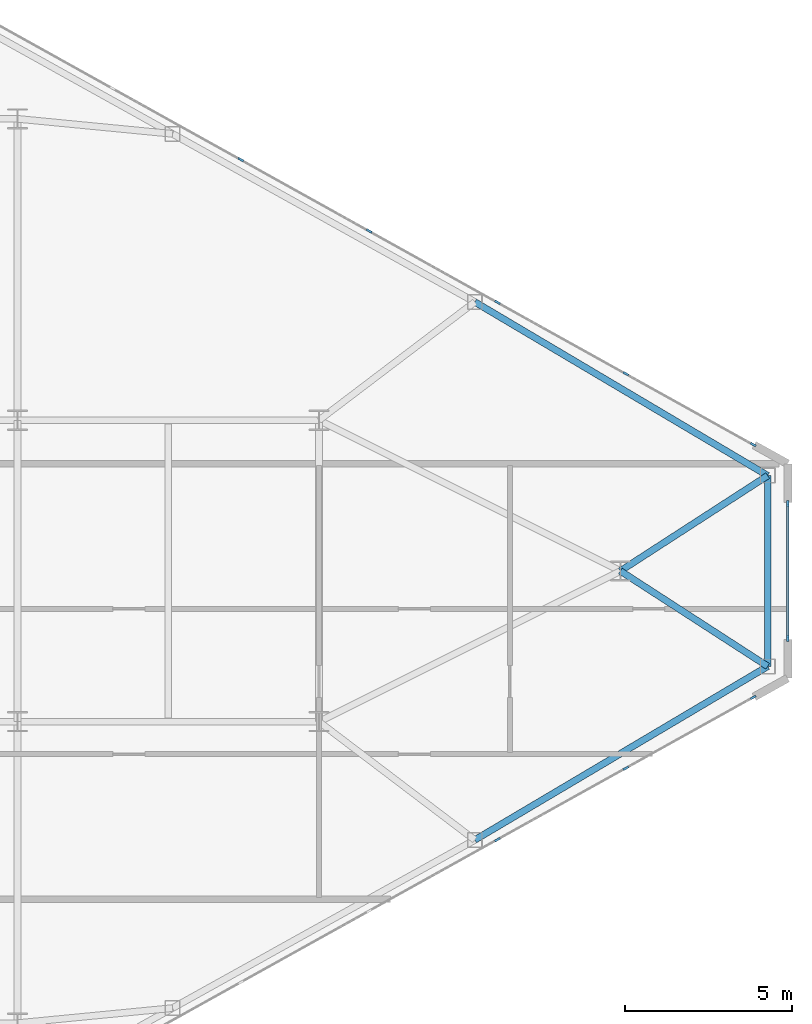
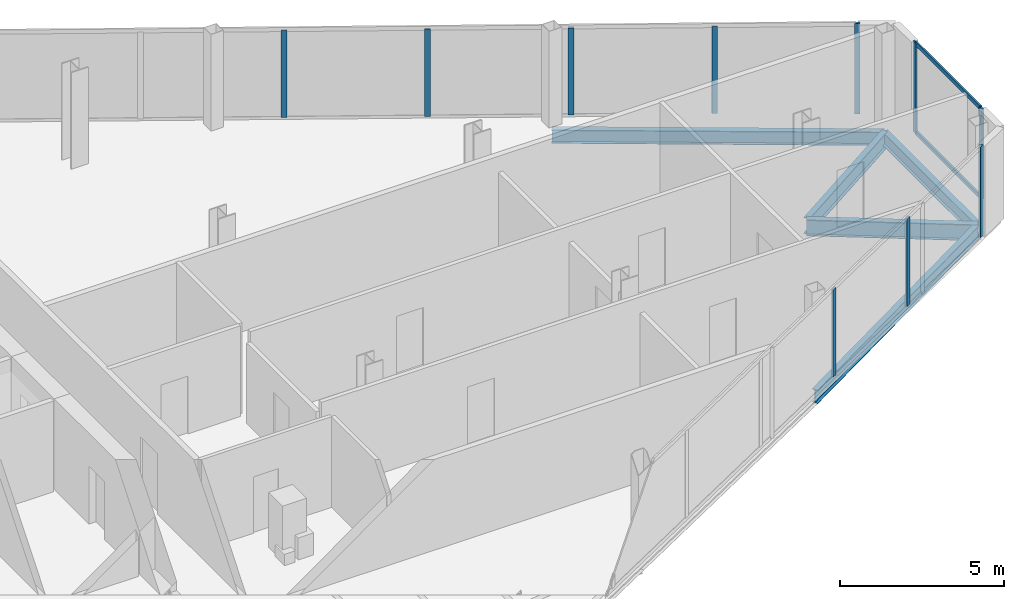
# One storey, part 17 of 25: 12 members, 5 beams, 3 elements without a shape of their own.
"""IFC4 building model written with IfcOpenShell, lengths in metres."""

from ifc_helpers import new_model, si_unit, direction, frame, origin, origin_2d, place, context, subcontext, project, spatial, rectangle, i_section, extrude, source, transform, mapped, material, layer, layer_set, material_profile, profile_set, type_object, type_shapes, element, aggregate, save


model = new_model("IFC4")

# Units and contexts
model_context = context("Model", 3, precision=1e-05, world=origin(), true_north=direction((0.0, 1.0)))
body_context = subcontext(model_context, "Body", "Model", "MODEL_VIEW")
ifc_project = project(units=[si_unit("LENGTHUNIT", "METRE"), si_unit("AREAUNIT", "SQUARE_METRE"), si_unit("VOLUMEUNIT", "CUBIC_METRE"), si_unit("PLANEANGLEUNIT", "RADIAN"), si_unit("MASSUNIT", "GRAM", prefix="KILO")], contexts=[model_context])

# Site, building, storey
site_placement = place(None, origin())
site = spatial("IfcSite", under=ifc_project, at=site_placement, CompositionType="ELEMENT")
building_placement = place(site_placement, origin())
building = spatial("IfcBuilding", under=site, at=building_placement, Name="Seokmaru Belvedere", CompositionType="ELEMENT")
storey_placement = place(building_placement, frame((0.0, 0.0, 188.699951171875)))
storey = spatial("IfcBuildingStorey", under=building, at=storey_placement, Name="L50", CompositionType="ELEMENT", Elevation=188.699951171875)

# Beams
ifc_material_1 = material(Name="Steel SM355 (355 MPa)", Category="steel")
ifc_material_profile_1 = material_profile(ifc_material_1, i_section(OverallWidth=0.199951171875, OverallDepth=0.5, WebThickness=0.010009765625, FlangeThickness=0.01611328125, at=origin_2d()), Name="H-500x200x10x16")
ifc_profile_set_1 = profile_set([ifc_material_profile_1], Name="Steel SM355 (355 MPa)")
beam_type_1 = type_object("IfcBeamType", Name="Perimeter Spandrel Beam H-500", PredefinedType="SPANDREL", material=ifc_profile_set_1)
shared_shape_1 = source(origin(), body_context, "Body", "SweptSolid", [
    extrude(i_section(OverallWidth=0.199951171875, OverallDepth=0.5, WebThickness=0.010009765625, FlangeThickness=0.01611328125, at=origin_2d()), origin(), (0.0, 0.0, 1.0), 10.16650390625),
])
for number, where, z_axis, x_axis, name in (
    (1, (59.154541015625, -8.031494140625, -0.469970703125), (0.860209996506, 0.509939959124, 0.0), (-0.509939959124, 0.860209996506, 0.0), "L50 E Faceted Flank Spandrel S-4"),
    (2, (59.154541015625, 8.031494140625, -0.469970703125), (0.860209996506, -0.509939959124, 0.0), (0.509939959124, 0.860209996506, 0.0), "L50 E Faceted Flank Spandrel N-4"),
):
    element("IfcBeam", number, at=place(storey_placement, frame(where, z_axis=z_axis, x_axis=x_axis)), inside=storey, type_object=beam_type_1, Name=name, PredefinedType="SPANDREL", context=body_context, shape_type="MappedRepresentation", body=[
        mapped(shared_shape_1, transform((0.0, 0.0, 0.0), scale=1.0)),
    ])
shared_shape_2 = source(origin(), body_context, "Body", "SweptSolid", [
    extrude(i_section(OverallWidth=0.199951171875, OverallDepth=0.5, WebThickness=0.010009765625, FlangeThickness=0.01611328125, at=origin_2d()), origin(), (0.0, 0.0, 1.0), 5.6943359375),
])
type_shapes(beam_type_1, [shared_shape_1, shared_shape_2])
beam_placement = place(storey_placement, frame((67.89990234375, -2.84716796875, -0.469970703125), z_axis=(0.0, 1.0, 0.0), x_axis=(-1.0, 0.0, 0.0)))
element("IfcBeam", 3, at=beam_placement, inside=storey, type_object=beam_type_1, Name="L50 E Faceted Apex Spandrel", PredefinedType="SPANDREL", context=body_context, shape_type="MappedRepresentation", body=[
    mapped(shared_shape_2, transform((0.0, 0.0, 0.0), scale=1.0)),
])
ifc_material_profile_2 = material_profile(ifc_material_1, i_section(OverallWidth=0.199951171875, OverallDepth=0.60009765625, WebThickness=0.010986328125, FlangeThickness=0.01708984375, at=origin_2d()), Name="H-600x200x11x17")
ifc_profile_set_2 = profile_set([ifc_material_profile_2], Name="Steel SM355 (355 MPa)")
beam_type_2 = type_object("IfcBeamType", Name="Primary Floor Girder H-600", PredefinedType="BEAM", material=ifc_profile_set_2)
shared_shape_3 = source(origin(), body_context, "Body", "SweptSolid", [
    extrude(i_section(OverallWidth=0.199951171875, OverallDepth=0.60009765625, WebThickness=0.010986328125, FlangeThickness=0.01708984375, at=origin_2d()), origin(), (0.0, 0.0, 1.0), 5.24072265625),
])
type_shapes(beam_type_2, [shared_shape_3])
for number, where, z_axis, x_axis, name in (
    (4, (67.89990234375, -2.84716796875, -0.52001953125), (-0.839555158729, 0.543274456836, 0.0), (-0.543274456836, -0.839555158729, 0.0), "L50 E Apex Radial Floor Girder 1"),
    (5, (67.89990234375, 2.84716796875, -0.52001953125), (-0.839555158729, -0.543274456836, 0.0), (0.543274456836, -0.839555158729, 0.0), "L50 E Apex Radial Floor Girder 2"),
):
    element("IfcBeam", number, at=place(storey_placement, frame(where, z_axis=z_axis, x_axis=x_axis)), inside=storey, type_object=beam_type_2, Name=name, PredefinedType="BEAM", context=body_context, shape_type="MappedRepresentation", body=[
        mapped(shared_shape_3, transform((0.0, 0.0, 0.0), scale=1.0)),
    ])

# Curtain wall, members
ifc_material_2 = material(Name="Bronze Triple Insulating Glass", Category="glass")
ifc_layer = layer(ifc_material_2, 0.179931640625)
ifc_layer_set = layer_set([ifc_layer], Name="Bronze Triple Insulating Glass")
curtain_wall_type = type_object("IfcCurtainWallType", Name="High-Rise Wind-Corner Curtain Wall System CW-5", PredefinedType="NOTDEFINED", material=ifc_layer_set)
curtain_wall_1_placement = place(storey_placement, origin())
curtain_wall_1 = element("IfcCurtainWall", 6, at=curtain_wall_1_placement, inside=storey, type_object=curtain_wall_type, Name="L50 Curtain Wall EF2", PredefinedType="NOTDEFINED")
ifc_material_3 = material(Name="Anodised Bronze Aluminium", Category="aluminium")
ifc_material_profile_3 = material_profile(ifc_material_3, rectangle(XDim=0.06494140625, YDim=0.14990234375, at=origin_2d()), Name="CW-T-65x150")
ifc_profile_set_3 = profile_set([ifc_material_profile_3], Name="Anodised Bronze Aluminium")
member_type_1 = type_object("IfcMemberType", Name="Bronze Unitised Transom 65x150", PredefinedType="USERDEFINED", material=ifc_profile_set_3)
shared_shape_4 = source(origin(), body_context, "Body", "SweptSolid", [
    extrude(rectangle(XDim=0.06494140625, YDim=0.14990234375, at=origin_2d()), origin(), (0.0, 0.0, 1.0), 3.97021484375),
])
type_shapes(member_type_1, [shared_shape_4])
member_1_placement = place(storey_placement, frame((68.5, -1.985107421875, 0.032470703125), z_axis=(0.0, 1.0, 0.0), x_axis=(-1.0, 0.0, 0.0)))
member_1 = element("IfcMember", 7, at=member_1_placement, type_object=member_type_1, Name="CW:L50:EF2 Continuous Transom 1", ObjectType="TRANSOM", PredefinedType="USERDEFINED", context=body_context, shape_type="MappedRepresentation", body=[
    mapped(shared_shape_4, transform((0.0, 0.0, 0.0), scale=1.0)),
])
member_2_placement = place(storey_placement, frame((68.5, -1.985107421875, 3.34765625), z_axis=(0.0, 1.0, 0.0), x_axis=(-1.0, 0.0, 0.0)))
member_2 = element("IfcMember", 8, at=member_2_placement, type_object=member_type_1, Name="CW:L50:EF2 Continuous Transom 2", ObjectType="TRANSOM", PredefinedType="USERDEFINED", context=body_context, shape_type="MappedRepresentation", body=[
    mapped(shared_shape_4, transform((0.0, 0.0, 0.0), scale=1.0)),
])

curtain_wall_2_placement = place(storey_placement, origin())
curtain_wall_2 = element("IfcCurtainWall", 9, at=curtain_wall_2_placement, inside=storey, type_object=curtain_wall_type, Name="L50 Curtain Wall EF1", PredefinedType="NOTDEFINED")
ifc_material_profile_4 = material_profile(ifc_material_3, rectangle(XDim=0.06494140625, YDim=0.179931640625, at=origin_2d()), Name="CW-M-65x180")
ifc_profile_set_4 = profile_set([ifc_material_profile_4], Name="Anodised Bronze Aluminium")
member_type_2 = type_object("IfcMemberType", Name="Bronze Unitised Mullion 65x180", PredefinedType="MULLION", material=ifc_profile_set_4)
shared_shape_5 = source(origin(), body_context, "Body", "SweptSolid", [
    extrude(rectangle(XDim=0.06494140625, YDim=0.179931640625, at=origin_2d()), origin(), (0.0, 0.0, 1.0), 3.25),
])
member_3_placement = place(storey_placement, frame((59.83056640625, -8.021728515625, 0.06494140625), z_axis=(0.0, 0.0, 1.0), x_axis=(-0.486047125147, 0.873932601598, 0.0)))
member_3 = element("IfcMember", 10, at=member_3_placement, type_object=member_type_2, Name="CW:L50:EF1 Mullion 8", PredefinedType="MULLION", context=body_context, shape_type="MappedRepresentation", body=[
    mapped(shared_shape_5, transform((0.0, 0.0, 0.0), scale=1.0)),
])
member_4_placement = place(storey_placement, frame((63.662841796875, -5.890380859375, 0.06494140625), z_axis=(0.0, 0.0, 1.0), x_axis=(-0.486047125147, 0.873932601598, 0.0)))
member_4 = element("IfcMember", 11, at=member_4_placement, type_object=member_type_2, Name="CW:L50:EF1 Mullion 9", PredefinedType="MULLION", context=body_context, shape_type="MappedRepresentation", body=[
    mapped(shared_shape_5, transform((0.0, 0.0, 0.0), scale=1.0)),
])

curtain_wall_3_placement = place(storey_placement, origin())
curtain_wall_3 = element("IfcCurtainWall", 12, at=curtain_wall_3_placement, inside=storey, type_object=curtain_wall_type, Name="L50 Curtain Wall EF3", PredefinedType="NOTDEFINED")
member_5_placement = place(storey_placement, frame((63.662841796875, 5.890380859375, 0.06494140625), z_axis=(0.0, 0.0, 1.0), x_axis=(-0.486047125147, -0.873932601598, 0.0)))
member_5 = element("IfcMember", 13, at=member_5_placement, type_object=member_type_2, Name="CW:L50:EF3 Mullion 2", PredefinedType="MULLION", context=body_context, shape_type="MappedRepresentation", body=[
    mapped(shared_shape_5, transform((0.0, 0.0, 0.0), scale=1.0)),
])
member_6_placement = place(storey_placement, frame((59.83056640625, 8.021728515625, 0.06494140625), z_axis=(0.0, 0.0, 1.0), x_axis=(-0.486047125147, -0.873932601598, 0.0)))
member_6 = element("IfcMember", 14, at=member_6_placement, type_object=member_type_2, Name="CW:L50:EF3 Mullion 3", PredefinedType="MULLION", context=body_context, shape_type="MappedRepresentation", body=[
    mapped(shared_shape_5, transform((0.0, 0.0, 0.0), scale=1.0)),
])
member_7_placement = place(storey_placement, frame((55.998291015625, 10.153076171875, 0.06494140625), z_axis=(0.0, 0.0, 1.0), x_axis=(-0.486047125147, -0.873932601598, 0.0)))
member_7 = element("IfcMember", 15, at=member_7_placement, type_object=member_type_2, Name="CW:L50:EF3 Mullion 4", PredefinedType="MULLION", context=body_context, shape_type="MappedRepresentation", body=[
    mapped(shared_shape_5, transform((0.0, 0.0, 0.0), scale=1.0)),
])
member_8_placement = place(storey_placement, frame((52.166015625, 12.2841796875, 0.06494140625), z_axis=(0.0, 0.0, 1.0), x_axis=(-0.486047125147, -0.873932601598, 0.0)))
member_8 = element("IfcMember", 16, at=member_8_placement, type_object=member_type_2, Name="CW:L50:EF3 Mullion 5", PredefinedType="MULLION", context=body_context, shape_type="MappedRepresentation", body=[
    mapped(shared_shape_5, transform((0.0, 0.0, 0.0), scale=1.0)),
])

# Member
shared_shape_6 = source(origin(), body_context, "Body", "SweptSolid", [
    extrude(rectangle(XDim=0.06494140625, YDim=0.179931640625, at=origin_2d()), origin(), (0.0, 0.0, 1.0), 3.380126953125),
])
type_shapes(member_type_2, [shared_shape_5, shared_shape_6])
member_9_placement = place(storey_placement, frame((67.466552734375, -3.77490234375, 0.0), z_axis=(0.0, 0.0, 1.0), x_axis=(-0.486047125147, 0.873932601598, 0.0)))
member_9 = element("IfcMember", 17, at=member_9_placement, type_object=member_type_2, Name="CW:L50:EF1 Mullion 10", PredefinedType="MULLION", context=body_context, shape_type="MappedRepresentation", body=[
    mapped(shared_shape_6, transform((0.0, 0.0, 0.0), scale=1.0)),
])

aggregate(curtain_wall_2, [member_3, member_4, member_9])

member_10_placement = place(storey_placement, frame((68.5, -2.017578125, 0.0), z_axis=(0.0, 0.0, 1.0), x_axis=(-1.0, 0.0, 0.0)))
member_10 = element("IfcMember", 18, at=member_10_placement, type_object=member_type_2, Name="CW:L50:EF2 Mullion 1", PredefinedType="MULLION", context=body_context, shape_type="MappedRepresentation", body=[
    mapped(shared_shape_6, transform((0.0, 0.0, 0.0), scale=1.0)),
])

member_11_placement = place(storey_placement, frame((68.5, 2.017578125, 0.0), z_axis=(0.0, 0.0, 1.0), x_axis=(-1.0, 0.0, 0.0)))
member_11 = element("IfcMember", 19, at=member_11_placement, type_object=member_type_2, Name="CW:L50:EF2 Mullion 2", PredefinedType="MULLION", context=body_context, shape_type="MappedRepresentation", body=[
    mapped(shared_shape_6, transform((0.0, 0.0, 0.0), scale=1.0)),
])

aggregate(curtain_wall_1, [member_10, member_11, member_1, member_2])

member_12_placement = place(storey_placement, frame((67.466552734375, 3.77490234375, 0.0), z_axis=(0.0, 0.0, 1.0), x_axis=(-0.486047125147, -0.873932601598, 0.0)))
member_12 = element("IfcMember", 20, at=member_12_placement, type_object=member_type_2, Name="CW:L50:EF3 Mullion 1", PredefinedType="MULLION", context=body_context, shape_type="MappedRepresentation", body=[
    mapped(shared_shape_6, transform((0.0, 0.0, 0.0), scale=1.0)),
])

aggregate(curtain_wall_3, [member_12, member_5, member_6, member_7, member_8])

save(model, "model.ifc")
